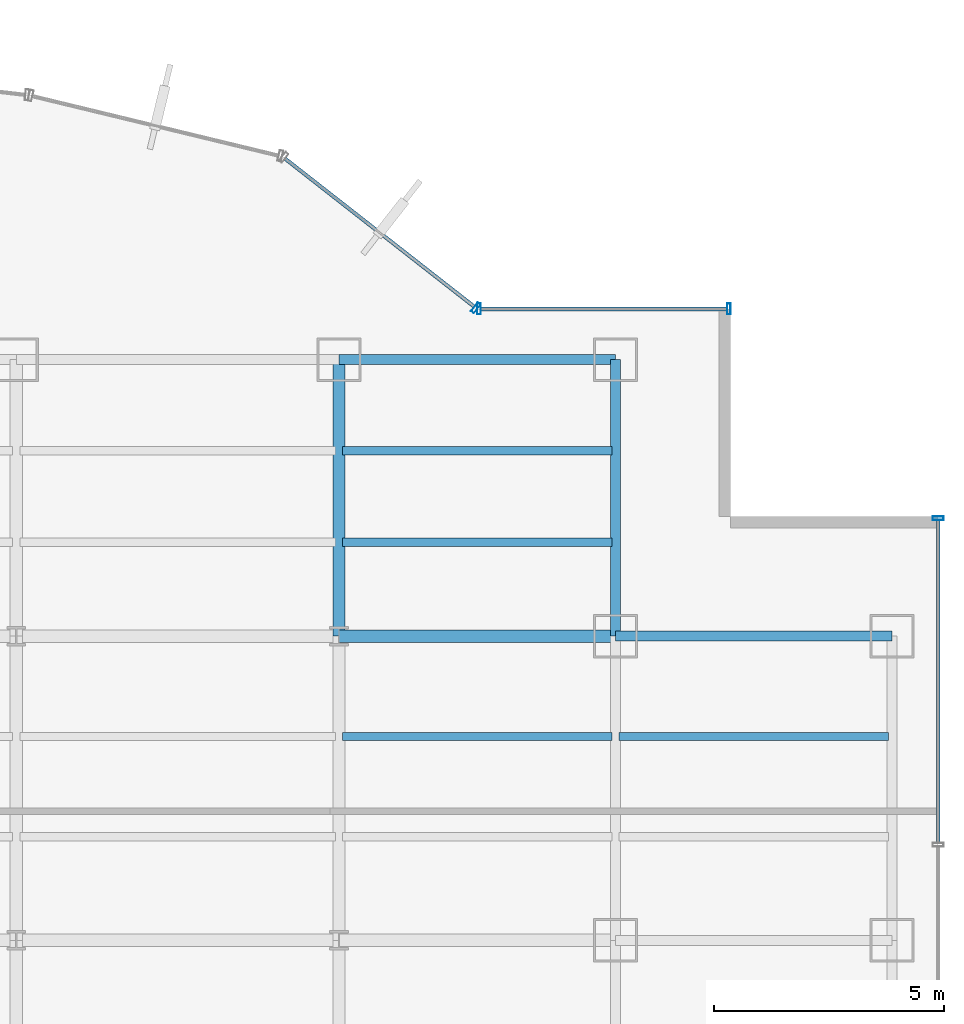
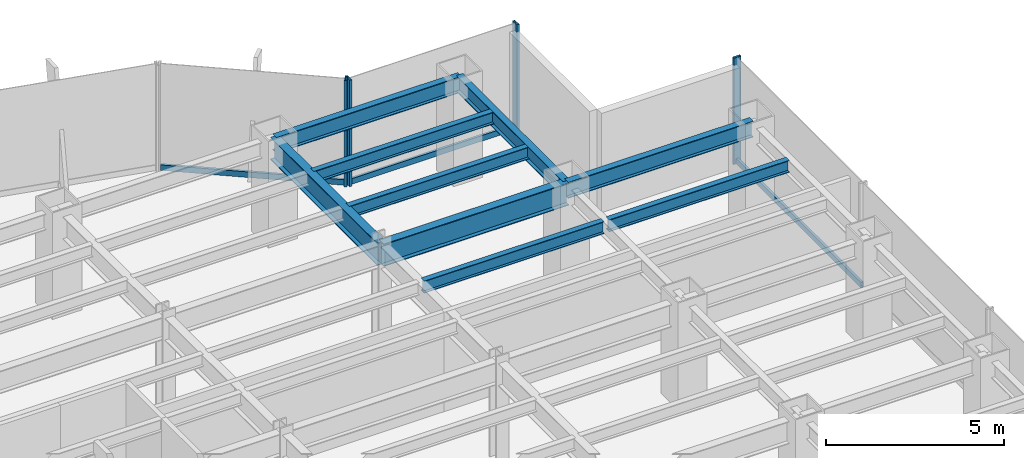
# One storey, part 15 of 22: 9 beams, 7 members, 3 elements without a shape of their own.
"""IFC4 building model written with IfcOpenShell, lengths in metres."""

from ifc_helpers import new_model, si_unit, derived_unit, direction, frame, origin, origin_2d, place, context, subcontext, project, spatial, hollow_rectangle, i_section, extrude, source, transform, mapped, material, material_profile, profile_set, type_object, element, aggregate, save


model = new_model("IFC4")

# Units and contexts
model_context = context("Model", 3, precision=1e-05, world=origin(), true_north=direction((0.0, 1.0)))
body_context = subcontext(model_context, "Body", "Model", "MODEL_VIEW")
ifc_project = project(units=[si_unit("LENGTHUNIT", "METRE"), si_unit("AREAUNIT", "SQUARE_METRE"), si_unit("VOLUMEUNIT", "CUBIC_METRE"), si_unit("PLANEANGLEUNIT", "RADIAN"), si_unit("MASSUNIT", "GRAM", prefix="KILO"), derived_unit("THERMALTRANSMITTANCEUNIT", [(si_unit("POWERUNIT", "WATT"), 1), (si_unit("LENGTHUNIT", "METRE"), -2), (si_unit("THERMODYNAMICTEMPERATUREUNIT", "KELVIN"), -1)])], contexts=[model_context])

# Site, building, storey
site_placement = place(None, origin())
site = spatial("IfcSite", under=ifc_project, at=site_placement, CompositionType="ELEMENT")
building_placement = place(site_placement, origin())
building = spatial("IfcBuilding", under=site, at=building_placement, Name="Skarnbrae Concourse Arena and Tower", CompositionType="ELEMENT")
storey_placement = place(building_placement, frame((0.0, 0.0, 65.35009765625)))
storey = spatial("IfcBuildingStorey", under=building, at=storey_placement, Name="L15", CompositionType="ELEMENT", Elevation=65.35009765625)

# Beams
ifc_material_1 = material(Name="Steel CSA G40.21 350W", Category="steel")
ifc_material_profile_1 = material_profile(ifc_material_1, i_section(OverallWidth=0.214111328125, OverallDepth=0.549072265625, WebThickness=0.0146484375, FlangeThickness=0.023681640625, at=origin_2d()), Name="W530X138")
ifc_profile_set_1 = profile_set([ifc_material_profile_1], Name="Steel CSA G40.21 350W")
beam_type_1 = type_object("IfcBeamType", Name="BM-SPAN-W530X138", PredefinedType="SPANDREL", material=ifc_profile_set_1)
shared_shape_1 = source(origin(), body_context, "Body", "SweptSolid", [
    extrude(i_section(OverallWidth=0.214111328125, OverallDepth=0.549072265625, WebThickness=0.0146484375, FlangeThickness=0.023681640625, at=origin_2d()), origin(), (0.0, 0.0, 1.0), 6.0),
])
for number, where, z_axis, x_axis, name in (
    (1, (55.0, 34.39990234375, 3.12548828125), (1.0, 0.0, 0.0), (0.0, 1.0, 0.0), "L15 Perimeter spandrel Y34.4-9"),
    (2, (49.0, 40.39990234375, 3.12548828125), (1.0, 0.0, 0.0), (0.0, 1.0, 0.0), "L15 Perimeter spandrel Y40.4-7"),
    (3, (55.0, 34.39990234375, 3.12548828125), (0.0, 1.0, 0.0), (-1.0, 0.0, 0.0), "L15 Perimeter spandrel X55.0-5"),
):
    element("IfcBeam", number, at=place(storey_placement, frame(where, z_axis=z_axis, x_axis=x_axis)), inside=storey, type_object=beam_type_1, Name=name, PredefinedType="SPANDREL", context=body_context, shape_type="MappedRepresentation", body=[
        mapped(shared_shape_1, transform((0.0, 0.0, 0.0))),
    ])
ifc_material_profile_2 = material_profile(ifc_material_1, i_section(OverallWidth=0.26806640625, OverallDepth=0.77001953125, WebThickness=0.015625, FlangeThickness=0.025390625, at=origin_2d()), Name="W760X196")
ifc_profile_set_2 = profile_set([ifc_material_profile_2], Name="Steel CSA G40.21 350W")
beam_type_2 = type_object("IfcBeamType", Name="BM-GIRD-W760X196", PredefinedType="BEAM", material=ifc_profile_set_2)
shared_shape_2 = source(origin(), body_context, "Body", "SweptSolid", [
    extrude(i_section(OverallWidth=0.26806640625, OverallDepth=0.77001953125, WebThickness=0.015625, FlangeThickness=0.025390625, at=origin_2d()), origin(), (0.0, 0.0, 1.0), 6.0),
])
for number, where, z_axis, x_axis, name in (
    (4, (49.0, 34.39990234375, 3.014892578125), (1.0, 0.0, 0.0), (0.0, 1.0, 0.0), "L15 Primary E-W girder Y34.4-8"),
    (5, (49.0, 34.39990234375, 3.014892578125), (0.0, 1.0, 0.0), (-1.0, 0.0, 0.0), "L15 Primary N-S girder X49.0-5"),
):
    element("IfcBeam", number, at=place(storey_placement, frame(where, z_axis=z_axis, x_axis=x_axis)), inside=storey, type_object=beam_type_2, Name=name, PredefinedType="BEAM", context=body_context, shape_type="MappedRepresentation", body=[
        mapped(shared_shape_2, transform((0.0, 0.0, 0.0))),
    ])
ifc_material_profile_3 = material_profile(ifc_material_1, i_section(OverallWidth=0.180908203125, OverallDepth=0.4169921875, WebThickness=0.010986328125, FlangeThickness=0.018310546875, at=origin_2d()), Name="W410X85")
ifc_profile_set_3 = profile_set([ifc_material_profile_3], Name="Steel CSA G40.21 350W")
beam_type_3 = type_object("IfcBeamType", Name="BM-JOIST-W410X85", PredefinedType="JOIST", material=ifc_profile_set_3)
shared_shape_3 = source(origin(), body_context, "Body", "SweptSolid", [
    extrude(i_section(OverallWidth=0.180908203125, OverallDepth=0.4169921875, WebThickness=0.010986328125, FlangeThickness=0.018310546875, at=origin_2d()), origin(), (0.0, 0.0, 1.0), 5.83984375),
])
for number, where, z_axis, x_axis, name in (
    (6, (49.080078125, 32.221923828125, 3.19140625), (1.0, 0.0, 0.0), (0.0, 1.0, 0.0), "L15 Secondary floor joist 3.2.8"),
    (7, (55.080078125, 32.221923828125, 3.19140625), (1.0, 0.0, 0.0), (0.0, 1.0, 0.0), "L15 Secondary floor joist 3.2.9"),
    (8, (49.080078125, 36.43994140625, 3.19140625), (1.0, 0.0, 0.0), (0.0, 1.0, 0.0), "L15 Secondary floor joist 4.1.7"),
    (9, (49.080078125, 38.419921875, 3.19140625), (1.0, 0.0, 0.0), (0.0, 1.0, 0.0), "L15 Secondary floor joist 4.2.7"),
):
    element("IfcBeam", number, at=place(storey_placement, frame(where, z_axis=z_axis, x_axis=x_axis)), inside=storey, type_object=beam_type_3, Name=name, PredefinedType="JOIST", context=body_context, shape_type="MappedRepresentation", body=[
        mapped(shared_shape_3, transform((0.0, 0.0, 0.0))),
    ])

# Curtain wall, member
ifc_material_2 = material(Name="Bronze anodised aluminium 6063-T6", Category="aluminium")
curtain_wall_type = type_object("IfcCurtainWallType", Name="CW-SYS-02-LOWZONE", PredefinedType="USERDEFINED", material=ifc_material_2)
curtain_wall_1_placement = place(storey_placement, origin())
curtain_wall_1 = element("IfcCurtainWall", 10, at=curtain_wall_1_placement, inside=storey, type_object=curtain_wall_type, Name="L15 Unitised curtain wall CW-L15-E04", ObjectType="UNITISED CURTAIN WALL", PredefinedType="USERDEFINED")
ifc_material_profile_4 = material_profile(ifc_material_2, hollow_rectangle(XDim=0.080078125, YDim=0.239990234375, WallThickness=0.0048828125, at=origin_2d()), Name="ALU-MULL-80X240")
ifc_profile_set_4 = profile_set([ifc_material_profile_4], Name="Bronze anodised aluminium 6063-T6")
member_type_1 = type_object("IfcMemberType", Name="CWM-CW-02", PredefinedType="MULLION", material=ifc_profile_set_4)
shared_shape_4 = source(origin(), body_context, "Body", "SweptSolid", [
    extrude(hollow_rectangle(XDim=0.080078125, YDim=0.239990234375, WallThickness=0.0048828125, at=origin_2d()), origin(), (0.0, 0.0, 1.0), 3.64990234375),
])
member_1_placement = place(storey_placement, frame((62.0, 36.9599609375, 0.0), z_axis=(0.0, 0.0, 1.0), x_axis=(0.0, 1.0, 0.0)))
member_1 = element("IfcMember", 11, at=member_1_placement, type_object=member_type_1, Name="CW-L15-E04 Mullion 5", PredefinedType="MULLION", context=body_context, shape_type="MappedRepresentation", body=[
    mapped(shared_shape_4, transform((0.0, 0.0, 0.0))),
])

# Curtain wall, members
curtain_wall_2_placement = place(storey_placement, origin())
curtain_wall_2 = element("IfcCurtainWall", 12, at=curtain_wall_2_placement, inside=storey, type_object=curtain_wall_type, Name="L15 Unitised curtain wall CW-L15-E07", ObjectType="UNITISED CURTAIN WALL", PredefinedType="USERDEFINED")
member_2_placement = place(storey_placement, frame((57.4599609375, 41.5, 0.0), z_axis=(0.0, 0.0, 1.0), x_axis=(-1.0, 0.0, 0.0)))
member_2 = element("IfcMember", 13, at=member_2_placement, type_object=member_type_1, Name="CW-L15-E07 Mullion 1", PredefinedType="MULLION", context=body_context, shape_type="MappedRepresentation", body=[
    mapped(shared_shape_4, transform((0.0, 0.0, 0.0))),
])
member_3_placement = place(storey_placement, frame((52.0400390625, 41.5, 0.0), z_axis=(0.0, 0.0, 1.0), x_axis=(-1.0, 0.0, 0.0)))
member_3 = element("IfcMember", 14, at=member_3_placement, type_object=member_type_1, Name="CW-L15-E07 Mullion 2", PredefinedType="MULLION", context=body_context, shape_type="MappedRepresentation", body=[
    mapped(shared_shape_4, transform((0.0, 0.0, 0.0))),
])

# Curtain wall, member
curtain_wall_3_placement = place(storey_placement, origin())
curtain_wall_3 = element("IfcCurtainWall", 15, at=curtain_wall_3_placement, inside=storey, type_object=curtain_wall_type, Name="L15 Unitised curtain wall CW-L15-E08", ObjectType="UNITISED CURTAIN WALL", PredefinedType="USERDEFINED")
member_4_placement = place(storey_placement, frame((51.968505859375, 41.524658203125, 0.0), z_axis=(0.0, 0.0, 1.0), x_axis=(-0.787651726054, 0.616120733658, 0.0)))
member_4 = element("IfcMember", 16, at=member_4_placement, type_object=member_type_1, Name="CW-L15-E08 Mullion 1", PredefinedType="MULLION", context=body_context, shape_type="MappedRepresentation", body=[
    mapped(shared_shape_4, transform((0.0, 0.0, 0.0))),
])

# Member
ifc_material_profile_5 = material_profile(ifc_material_2, hollow_rectangle(XDim=0.080078125, YDim=0.18994140625, WallThickness=0.0048828125, at=origin_2d()), Name="ALU-TRAN-80X190")
ifc_profile_set_5 = profile_set([ifc_material_profile_5], Name="Bronze anodised aluminium 6063-T6")
member_type_2 = type_object("IfcMemberType", Name="CWT-CW-02", PredefinedType="USERDEFINED", material=ifc_profile_set_5)
shared_shape_5 = source(origin(), body_context, "Body", "SweptSolid", [
    extrude(hollow_rectangle(XDim=0.080078125, YDim=0.18994140625, WallThickness=0.0048828125, at=origin_2d()), origin(), (0.0, 0.0, 1.0), 7.0048828125),
])
member_5_placement = place(storey_placement, frame((62.0, 29.9150390625, 0.094970703125), z_axis=(0.0, 1.0, 0.0), x_axis=(-1.0, 0.0, 0.0)))
member_5 = element("IfcMember", 17, at=member_5_placement, type_object=member_type_2, Name="CW-L15-E04 Transom 4", ObjectType="TRANSOM", PredefinedType="USERDEFINED", context=body_context, shape_type="MappedRepresentation", body=[
    mapped(shared_shape_5, transform((0.0, 0.0, 0.0))),
])

aggregate(curtain_wall_1, [member_1, member_5])

shared_shape_6 = source(origin(), body_context, "Body", "SweptSolid", [
    extrude(hollow_rectangle(XDim=0.080078125, YDim=0.18994140625, WallThickness=0.0048828125, at=origin_2d()), origin(), (0.0, 0.0, 1.0), 5.33984375),
])
member_6_placement = place(storey_placement, frame((57.419921875, 41.5, 0.094970703125), z_axis=(-1.0, 0.0, 0.0), x_axis=(0.0, -1.0, 0.0)))
member_6 = element("IfcMember", 18, at=member_6_placement, type_object=member_type_2, Name="CW-L15-E07 Transom 1", ObjectType="TRANSOM", PredefinedType="USERDEFINED", context=body_context, shape_type="MappedRepresentation", body=[
    mapped(shared_shape_6, transform((0.0, 0.0, 0.0))),
])

aggregate(curtain_wall_2, [member_2, member_3, member_6])

shared_shape_7 = source(origin(), body_context, "Body", "SweptSolid", [
    extrude(hollow_rectangle(XDim=0.080078125, YDim=0.18994140625, WallThickness=0.0048828125, at=origin_2d()), origin(), (0.0, 0.0, 1.0), 5.215087890625),
])
member_7_placement = place(storey_placement, frame((51.93701171875, 41.54931640625, 0.094970703125), z_axis=(-0.787650196702, 0.616122688784, 0.0), x_axis=(-0.616122688784, -0.787650196702, 0.0)))
member_7 = element("IfcMember", 19, at=member_7_placement, type_object=member_type_2, Name="CW-L15-E08 Transom 1", ObjectType="TRANSOM", PredefinedType="USERDEFINED", context=body_context, shape_type="MappedRepresentation", body=[
    mapped(shared_shape_7, transform((0.0, 0.0, 0.0))),
])

aggregate(curtain_wall_3, [member_4, member_7])

save(model, "model.ifc")
